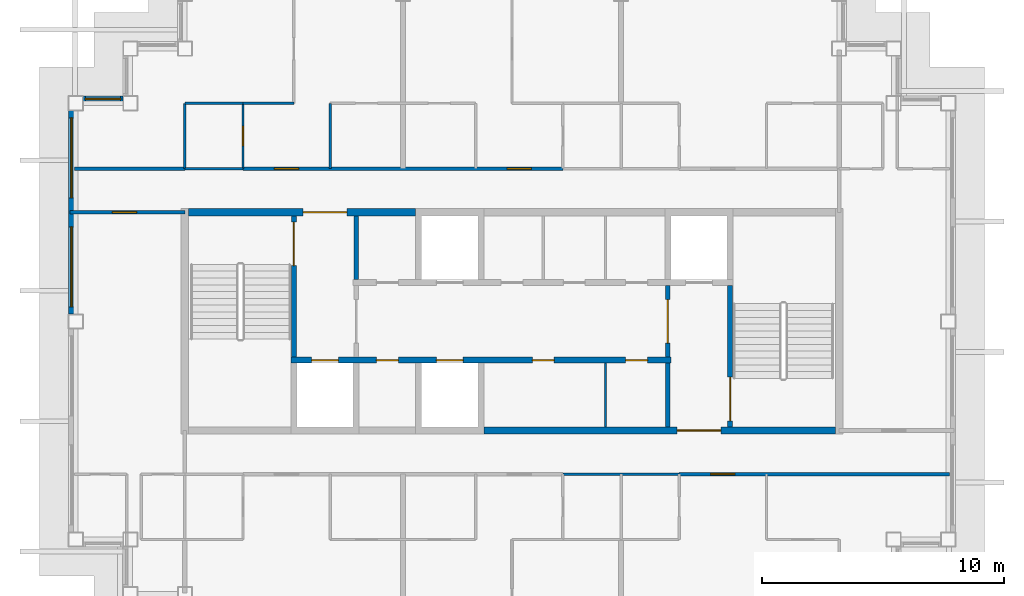
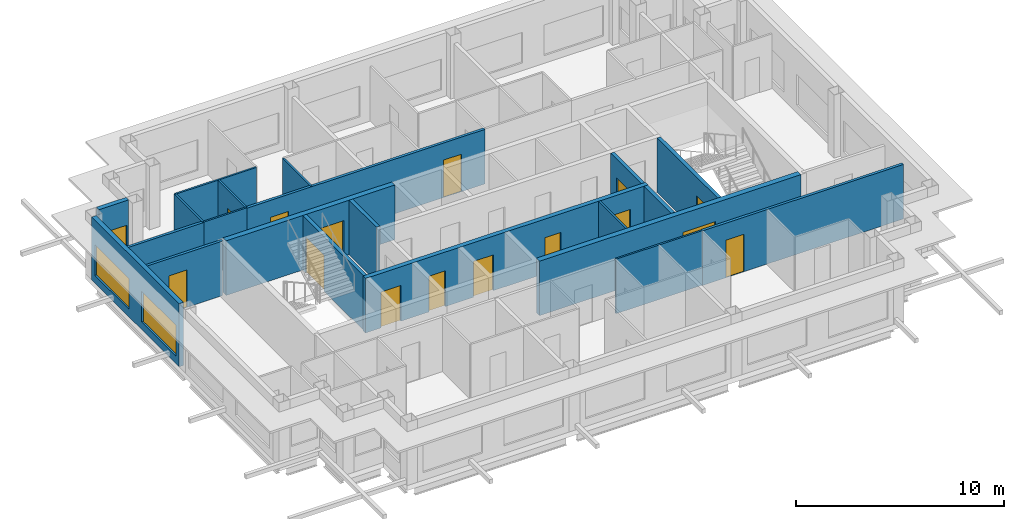
# One storey, part 3 of 11: 22 walls, 15 doors, 3 windows, 18 openings.
"""IFC4 building model written with IfcOpenShell, lengths in metres."""

import ifcopenshell
import ifcopenshell.guid

model = None  # the IFC model being written
_history = None  # IfcOwnerHistory: only IFC2X3 demands one
_inside = {}  # id of a spatial element -> (the spatial element, [elements in it])
_under = {}  # id of a project, library or spatial element -> (it, [spatial elements below it])
_declared = {}  # id of a project -> (the project, [libraries it declares])
_typed = {}  # id of a type object -> (the type object, [elements of that type])
_made_of = {}  # id of a material, layer set ... -> (it, [elements and type objects made of it])


def new_model(schema):
    """Start an empty IFC model of exactly this schema.

    Asked for "IFC4X3", IfcOpenShell would pick the latest addendum, in which some entities
    have other attributes; the version numbers below select the first issue.
    IFC2X3 requires an IfcOwnerHistory on every rooted entity: one is made here for all.
    """
    global model, _history
    if schema == "IFC4X3":
        model = ifcopenshell.file(schema_version=(4, 3, 0, 0))
    else:
        model = ifcopenshell.file(schema=schema)
    _inside.clear()
    _under.clear()
    _declared.clear()
    _typed.clear()
    _made_of.clear()
    _history = None
    if model.schema == "IFC2X3":
        org = make("IfcOrganization", Name="unknown")
        user = make(
            "IfcPersonAndOrganization",
            ThePerson=make("IfcPerson", FamilyName="unknown"),
            TheOrganization=org,
        )
        app = make(
            "IfcApplication",
            ApplicationDeveloper=org,
            Version="unknown",
            ApplicationFullName="unknown",
            ApplicationIdentifier="unknown",
        )
        _history = make(
            "IfcOwnerHistory",
            OwningUser=user,
            OwningApplication=app,
            ChangeAction="ADDED",
            CreationDate=0,
        )
    return model


def make(cls, **values):
    """One entity of the class cls with the attributes given. An attribute that is None is left unset."""
    return model.create_entity(
        cls, **{name: value for name, value in values.items() if value is not None}
    )


def rooted(cls, **values):
    """An entity with a GlobalId (a new one), such as an element, a storey or a relation."""
    return make(cls, GlobalId=ifcopenshell.guid.new(), OwnerHistory=_history, **values)


def si_unit(unit_type, name, prefix=None):
    """IfcSIUnit, for example si_unit("LENGTHUNIT", "METRE", prefix="MILLI")."""
    return make("IfcSIUnit", UnitType=unit_type, Prefix=prefix, Name=name)


def assignment(units):
    """IfcUnitAssignment: the units of a project."""
    return None if units is None else make("IfcUnitAssignment", Units=units)


def point(xyz):
    """IfcCartesianPoint."""
    return None if xyz is None else make("IfcCartesianPoint", Coordinates=xyz)


def direction(xyz):
    """IfcDirection."""
    return None if xyz is None else make("IfcDirection", DirectionRatios=xyz)


def frame(location, z_axis=None, x_axis=None):
    """IfcAxis2Placement3D, a coordinate frame: its origin and axes. An axis left out is left unset."""
    return make(
        "IfcAxis2Placement3D",
        Location=point(location),
        Axis=direction(z_axis),
        RefDirection=direction(x_axis),
    )


def frame_2d(location, x_axis=None):
    """IfcAxis2Placement2D, a coordinate frame in the plane: its origin and x axis."""
    return make(
        "IfcAxis2Placement2D", Location=point(location), RefDirection=direction(x_axis)
    )


def origin():
    """The frame at (0, 0, 0) with its axes left unset."""
    return frame((0.0, 0.0, 0.0))


def place(relative_to, where):
    """IfcLocalPlacement: puts the frame where relative to a parent placement (None: the world)."""
    return make(
        "IfcLocalPlacement", PlacementRelTo=relative_to, RelativePlacement=where
    )


def context(
    kind, dimensions, precision=None, world=None, true_north=None, identifier=None
):
    """IfcGeometricRepresentationContext, for example the 3D "Model" context."""
    return make(
        "IfcGeometricRepresentationContext",
        ContextIdentifier=identifier,
        ContextType=kind,
        CoordinateSpaceDimension=dimensions,
        Precision=precision,
        WorldCoordinateSystem=world,
        TrueNorth=true_north,
    )


def subcontext(parent, identifier, kind, view, scale=None):
    """IfcGeometricRepresentationSubContext, for example "Body" below "Model"."""
    return make(
        "IfcGeometricRepresentationSubContext",
        ContextIdentifier=identifier,
        ContextType=kind,
        ParentContext=parent,
        TargetScale=scale,
        TargetView=view,
    )


def project(units=None, contexts=None):
    """IfcProject with its units and contexts."""
    return rooted(
        "IfcProject",
        Name="project",
        RepresentationContexts=contexts,
        UnitsInContext=assignment(units),
    )


def spatial(cls, under=None, at=None, **own):
    """A site, building, storey or space (cls), placed at a placement, below another one or the project."""
    s = rooted(cls, ObjectPlacement=at, **own)
    if under is not None:
        _under.setdefault(under.id(), (under, []))[1].append(s)
    return s


def profile(cls, at=None, kind="AREA", **sizes):
    """A parametric profile (cls). Its sizes go by their IFC names, for example OverallWidth=200.0."""
    return make(cls, ProfileType=kind, Position=at, **sizes)


def rectangle(**sizes):
    """IfcRectangleProfileDef."""
    return profile("IfcRectangleProfileDef", **sizes)


def extrude(swept, where, along, depth):
    """IfcExtrudedAreaSolid: the profile swept, set in the frame where, extruded along a direction by depth."""
    return make(
        "IfcExtrudedAreaSolid",
        SweptArea=swept,
        Position=where,
        ExtrudedDirection=direction(along),
        Depth=depth,
    )


def shape(context_of_items, identifier, shape_type, items):
    """IfcShapeRepresentation: the items that make up one representation, for example the "Body"."""
    return make(
        "IfcShapeRepresentation",
        ContextOfItems=context_of_items,
        RepresentationIdentifier=identifier,
        RepresentationType=shape_type,
        Items=items,
    )


def material(Name=None, Category=None):
    """IfcMaterial."""
    return make("IfcMaterial", Name=Name, Category=Category)


def layer(
    of_material, thickness, ventilated=None, Name=None, Category=None, Priority=None
):
    """IfcMaterialLayer: one layer of a wall or slab, of a material (None: an air gap)."""
    return make(
        "IfcMaterialLayer",
        Material=of_material,
        LayerThickness=thickness,
        IsVentilated=ventilated,
        Name=Name,
        Category=Category,
        Priority=Priority,
    )


def layer_set(layers, Name=None):
    """IfcMaterialLayerSet."""
    return make("IfcMaterialLayerSet", MaterialLayers=layers, LayerSetName=Name)


def made_of(thing, what):
    """Note that an element or type object is made of a material, layer set ...; save() writes the relation."""
    if what is not None:
        _made_of.setdefault(what.id(), (what, []))[1].append(thing)
    return thing


def type_object(cls, material=None, **own):
    """A type object (cls), such as IfcWallType, which elements share."""
    return made_of(rooted(cls, **own), material)


def element(
    cls,
    number,
    at=None,
    inside=None,
    cuts=None,
    type_object=None,
    material=None,
    context=None,
    identifier="Body",
    shape_type=None,
    held_by="IfcProductDefinitionShape",
    body=None,
    shapes=None,
    **own,
):
    """One element of the class cls, such as IfcWall. Its Tag is "e" and its number.

    at: its placement. inside: the storey or other place that contains it. cuts: it is an
    opening in that element (IfcRelVoidsElement). A single representation is given by context,
    identifier, shape_type and body (its items); several are given by shapes. held_by: the class
    of the entity that holds the representations. save() writes the other relations.
    """
    e = rooted(cls, Tag="e%d" % number, ObjectPlacement=at, **own)
    if body is not None:
        shapes = [shape(context, identifier, shape_type, body)]
    if shapes is not None:
        e.Representation = make(held_by, Representations=shapes)
    if inside is not None:
        _inside.setdefault(inside.id(), (inside, []))[1].append(e)
    if cuts is not None:
        rooted(
            "IfcRelVoidsElement", RelatingBuildingElement=cuts, RelatedOpeningElement=e
        )
    if type_object is not None:
        _typed.setdefault(type_object.id(), (type_object, []))[1].append(e)
    return made_of(e, material)


def fill(opening, filler):
    """IfcRelFillsElement: the door or window that sits in an opening."""
    return rooted(
        "IfcRelFillsElement",
        RelatingOpeningElement=opening,
        RelatedBuildingElement=filler,
    )


def aggregate(whole, parts):
    """IfcRelAggregates: a whole, such as a stair, and the parts it consists of."""
    return rooted("IfcRelAggregates", RelatingObject=whole, RelatedObjects=parts)


def save(model, path):
    """Write the relations noted so far, then the file.

    IfcRelAggregates (storeys below a building ...), IfcRelContainedInSpatialStructure (elements
    in a storey), IfcRelDefinesByType, IfcRelAssociatesMaterial and IfcRelDeclares: one each for
    every whole, place, type object, material and project.
    """
    for whole, parts in _under.values():
        aggregate(whole, parts)
    for where, things in _inside.values():
        rooted(
            "IfcRelContainedInSpatialStructure",
            RelatedElements=things,
            RelatingStructure=where,
        )
    for kind, things in _typed.values():
        rooted("IfcRelDefinesByType", RelatedObjects=things, RelatingType=kind)
    for what, things in _made_of.values():
        rooted("IfcRelAssociatesMaterial", RelatedObjects=things, RelatingMaterial=what)
    for by, libraries in _declared.values():
        rooted("IfcRelDeclares", RelatingContext=by, RelatedDefinitions=libraries)
    model.write(path)


model = new_model("IFC4")

# Units and contexts
model_context = context("Model", 3, precision=1e-05, world=origin(), true_north=direction((0.0, 1.0)))
body_context = subcontext(model_context, "Body", "Model", "MODEL_VIEW")
ifc_project = project(units=[si_unit("LENGTHUNIT", "METRE"), si_unit("AREAUNIT", "SQUARE_METRE"), si_unit("VOLUMEUNIT", "CUBIC_METRE"), si_unit("PLANEANGLEUNIT", "RADIAN"), si_unit("MASSUNIT", "GRAM", prefix="KILO")], contexts=[model_context])

# Site, building, storey
site_placement = place(None, origin())
site = spatial("IfcSite", under=ifc_project, at=site_placement, CompositionType="ELEMENT")
building_placement = place(site_placement, origin())
building = spatial("IfcBuilding", under=site, at=building_placement, Name="Caravel Reach Hotel and Residences", CompositionType="ELEMENT")
storey_placement = place(building_placement, frame((0.0, 0.0, 301.89990234375)))
storey = spatial("IfcBuildingStorey", under=building, at=storey_placement, Name="L77", CompositionType="ELEMENT", Elevation=301.89990234375)

# Walls
ifc_material_1 = material(Name="Gypsum board on steel stud", Category="steel")
ifc_layer_1 = layer(ifc_material_1, 0.10009765625)
ifc_layer_set_1 = layer_set([ifc_layer_1], Name="Bathroom pod wall 100 mm")
wall_type_1 = type_object("IfcWallType", Name="Bathroom pod wall 100 mm", PredefinedType="PARTITIONING", material=ifc_layer_set_1)
wall_1_placement = place(storey_placement, frame((33.60009765625, 20.699951171875, 0.0), z_axis=(0.0, 0.0, 1.0), x_axis=(1.0, 0.0, 0.0)))
element("IfcWall", 1, at=wall_1_placement, inside=storey, type_object=wall_type_1, Name="L77 wall w057", PredefinedType="PARTITIONING", context=body_context, shape_type="SweptSolid", body=[
    extrude(rectangle(XDim=4.7998046875, YDim=0.10009765625, at=frame_2d((2.39990234375, 0.0))), origin(), (0.0, 0.0, 1.0), 3.2001953125),
])
for number, where, z_axis, x_axis, name in (
    (2, (18.0, 33.300048828125, 0.0), (0.0, 0.0, 1.0), (1.0, 0.0, 0.0), "L77 wall w060"),
    (3, (18.0, 36.0, 0.0), (0.0, 0.0, 1.0), (1.0, 0.0, 0.0), "L77 wall w064"),
):
    element("IfcWall", number, at=place(storey_placement, frame(where, z_axis=z_axis, x_axis=x_axis)), inside=storey, type_object=wall_type_1, Name=name, PredefinedType="PARTITIONING", context=body_context, shape_type="SweptSolid", body=[
        extrude(rectangle(XDim=2.39990234375, YDim=0.10009765625, at=frame_2d((1.199951171875, 0.0))), origin(), (0.0, 0.0, 1.0), 3.2001953125),
    ])
wall_2_placement = place(storey_placement, frame((18.0, 33.301025390625, 0.0), z_axis=(0.0, 0.0, 1.0), x_axis=(0.0, 1.0, 0.0)))
element("IfcWall", 4, at=wall_2_placement, inside=storey, type_object=wall_type_1, Name="L77 wall w068", PredefinedType="PARTITIONING", context=body_context, shape_type="SweptSolid", body=[
    extrude(rectangle(XDim=2.698974609375, YDim=0.10009765625, at=frame_2d((1.349609375, 0.0))), origin(), (0.0, 0.0, 1.0), 3.2001953125),
])

# Wall, opening, door
wall_3_placement = place(storey_placement, frame((20.39990234375, 33.300048828125, 0.0), z_axis=(0.0, 0.0, 1.0), x_axis=(0.0, 1.0, 0.0)))
wall_3 = element("IfcWall", 5, at=wall_3_placement, inside=storey, type_object=wall_type_1, Name="L77 wall w070", PredefinedType="PARTITIONING", context=body_context, shape_type="SweptSolid", body=[
    extrude(rectangle(XDim=2.699951171875, YDim=0.10009765625, at=frame_2d((1.35009765625, 0.0))), origin(), (0.0, 0.0, 1.0), 3.2001953125),
])
opening_1_placement = place(wall_3_placement, frame((0.949951171875, 0.0, 0.0)))
opening_1 = element("IfcOpeningElement", 6, at=opening_1_placement, cuts=wall_3, Name="Opening D77-019", PredefinedType="OPENING", context=body_context, shape_type="SweptSolid", body=[
    extrude(rectangle(XDim=0.800048828125, YDim=2.10009765625, at=frame_2d((0.39990234375, 1.050048828125))), frame((0.0, 0.06005859375, 0.0), z_axis=(0.0, -1.0, 0.0), x_axis=(1.0, 0.0, 0.0)), (0.0, 0.0, 1.0), 0.1201171875),
])
ifc_material_2 = material(Name="Timber and steel door leaf", Category="steel")
door_type_1 = type_object("IfcDoorType", Name="Bathroom door 800 x 2100", OperationType="SINGLE_SWING_LEFT", PredefinedType="DOOR", material=ifc_material_2)
door_1_placement = place(opening_1_placement, origin())
door_1 = element("IfcDoor", 7, at=door_1_placement, inside=storey, type_object=door_type_1, Name="door D77-019", OperationType="SINGLE_SWING_LEFT", OverallHeight=2.10009765625, OverallWidth=0.800048828125, PredefinedType="DOOR", context=body_context, shape_type="SweptSolid", body=[
    extrude(rectangle(XDim=0.800048828125, YDim=2.10009765625, at=frame_2d((0.39990234375, 1.050048828125))), frame((0.0, 0.02490234375, 0.0), z_axis=(0.0, -1.0, 0.0), x_axis=(1.0, 0.0, 0.0)), (0.0, 0.0, 1.0), 0.050048828125),
])
fill(opening_1, door_1)

# Walls
ifc_material_3 = material(Name="Autoclaved aerated block wall")
ifc_layer_2 = layer(ifc_material_3, 0.199951171875)
ifc_layer_set_2 = layer_set([ifc_layer_2], Name="Compartment wall 200 mm EI 120")
wall_type_2 = type_object("IfcWallType", Name="Compartment wall 200 mm EI 120", PredefinedType="PARTITIONING", material=ifc_layer_set_2)
for number, where, z_axis, x_axis, name in (
    (8, (37.928466796875, 22.64990234375, 0.0), (0.0, 0.0, 1.0), (0.0, 1.0, 0.0), "L77 store partition"),
    (9, (25.071533203125, 28.72509765625, 0.0), (0.0, 0.0, 1.0), (0.0, 1.0, 0.0), "L77 store partition"),
):
    element("IfcWall", number, at=place(storey_placement, frame(where, z_axis=z_axis, x_axis=x_axis)), inside=storey, type_object=wall_type_2, Name=name, PredefinedType="PARTITIONING", context=body_context, shape_type="SweptSolid", body=[
        extrude(rectangle(XDim=2.625, YDim=0.199951171875, at=frame_2d((1.3125, 0.0))), origin(), (0.0, 0.0, 1.0), 3.2001953125),
    ])

# Wall, opening, door
ifc_material_4 = material(Name="Concrete C60", Category="concrete")
ifc_layer_3 = layer(ifc_material_4, 0.300048828125)
ifc_layer_set_3 = layer_set([ifc_layer_3], Name="Core wall 300 mm EI 120")
wall_type_3 = type_object("IfcWallType", Name="Core wall 300 mm EI 120", PredefinedType="SHEAR", material=ifc_layer_set_3)
wall_4_placement = place(storey_placement, frame((30.33935546875, 22.5, 0.0), z_axis=(0.0, 0.0, 1.0), x_axis=(1.0, 0.0, 0.0)))
wall_4 = element("IfcWall", 10, at=wall_4_placement, inside=storey, type_object=wall_type_3, Name="L77 core wall S3", PredefinedType="SHEAR", context=body_context, shape_type="SweptSolid", body=[
    extrude(rectangle(XDim=14.5107421875, YDim=0.300048828125, at=frame_2d((7.25537109375, 0.0))), origin(), (0.0, 0.0, 1.0), 3.2001953125),
])
opening_2_placement = place(wall_4_placement, frame((7.97509765625, 0.0, 0.0)))
opening_2 = element("IfcOpeningElement", 11, at=opening_2_placement, cuts=wall_4, Name="Opening D77-017", PredefinedType="OPENING", context=body_context, shape_type="SweptSolid", body=[
    extrude(rectangle(XDim=1.800048828125, YDim=2.10009765625, at=frame_2d((0.89990234375, 1.050048828125))), frame((0.0, 0.159912109375, 0.0), z_axis=(0.0, -1.0, 0.0), x_axis=(1.0, 0.0, 0.0)), (0.0, 0.0, 1.0), 0.320068359375),
])
ifc_material_5 = material(Name="Steel fire door leaf", Category="steel")
door_type_2 = type_object("IfcDoorType", Name="Fire lobby door pair 1800 x 2100 EI 90", OperationType="DOUBLE_DOOR_SINGLE_SWING", PredefinedType="DOOR", material=ifc_material_5)
door_2_placement = place(opening_2_placement, origin())
door_2 = element("IfcDoor", 12, at=door_2_placement, inside=storey, type_object=door_type_2, Name="lobby S door pair to corridor", OperationType="DOUBLE_DOOR_SINGLE_SWING", OverallHeight=2.10009765625, OverallWidth=1.800048828125, PredefinedType="DOOR", context=body_context, shape_type="SweptSolid", body=[
    extrude(rectangle(XDim=1.800048828125, YDim=2.10009765625, at=frame_2d((0.89990234375, 1.050048828125))), frame((0.0, 0.02490234375, 0.0), z_axis=(0.0, -1.0, 0.0), x_axis=(1.0, 0.0, 0.0)), (0.0, 0.0, 1.0), 0.050048828125),
])
fill(opening_2, door_2)

wall_5_placement = place(storey_placement, frame((18.14990234375, 31.5, 0.0), z_axis=(0.0, 0.0, 1.0), x_axis=(1.0, 0.0, 0.0)))
wall_5 = element("IfcWall", 13, at=wall_5_placement, inside=storey, type_object=wall_type_3, Name="L77 core wall N1", PredefinedType="SHEAR", context=body_context, shape_type="SweptSolid", body=[
    extrude(rectangle(XDim=9.367919921875, YDim=0.300048828125, at=frame_2d((4.68408203125, 0.0))), origin(), (0.0, 0.0, 1.0), 3.2001953125),
])
opening_3_placement = place(wall_5_placement, frame((4.735595703125, 0.0, 0.0)))
opening_3 = element("IfcOpeningElement", 14, at=opening_3_placement, cuts=wall_5, Name="Opening D77-016", PredefinedType="OPENING", context=body_context, shape_type="SweptSolid", body=[
    extrude(rectangle(XDim=1.800048828125, YDim=2.10009765625, at=frame_2d((0.89990234375, 1.050048828125))), frame((0.0, 0.159912109375, 0.0), z_axis=(0.0, -1.0, 0.0), x_axis=(1.0, 0.0, 0.0)), (0.0, 0.0, 1.0), 0.320068359375),
])
door_3_placement = place(opening_3_placement, origin())
door_3 = element("IfcDoor", 15, at=door_3_placement, inside=storey, type_object=door_type_2, Name="lobby N door pair to corridor", OperationType="DOUBLE_DOOR_SINGLE_SWING", OverallHeight=2.10009765625, OverallWidth=1.800048828125, PredefinedType="DOOR", context=body_context, shape_type="SweptSolid", body=[
    extrude(rectangle(XDim=1.800048828125, YDim=2.10009765625, at=frame_2d((0.89990234375, 1.050048828125))), frame((0.0, 0.02490234375, 0.0), z_axis=(0.0, -1.0, 0.0), x_axis=(1.0, 0.0, 0.0)), (0.0, 0.0, 1.0), 0.050048828125),
])
fill(opening_3, door_3)

ifc_material_6 = material(Name="Gypsum board on steel stud, fire-rated", Category="steel")
ifc_layer_4 = layer(ifc_material_6, 0.14990234375)
ifc_layer_set_4 = layer_set([ifc_layer_4], Name="Corridor wall 150 mm EI 60")
wall_type_4 = type_object("IfcWallType", Name="Corridor wall 150 mm EI 60", PredefinedType="PARTITIONING", material=ifc_layer_set_4)
wall_6_placement = place(storey_placement, frame((38.39990234375, 20.699951171875, 0.0), z_axis=(0.0, 0.0, 1.0), x_axis=(1.0, 0.0, 0.0)))
wall_6 = element("IfcWall", 16, at=wall_6_placement, inside=storey, type_object=wall_type_4, Name="L77 wall w005", PredefinedType="PARTITIONING", context=body_context, shape_type="SweptSolid", body=[
    extrude(rectangle(XDim=11.150146484375, YDim=0.14990234375, at=frame_2d((5.5751953125, 0.0))), origin(), (0.0, 0.0, 1.0), 3.2001953125),
])
opening_4_placement = place(wall_6_placement, frame((1.300048828125, 0.0, 0.0)))
opening_4 = element("IfcOpeningElement", 17, at=opening_4_placement, cuts=wall_6, Name="Opening D77-036", PredefinedType="OPENING", context=body_context, shape_type="SweptSolid", body=[
    extrude(rectangle(XDim=1.0, YDim=2.199951171875, at=frame_2d((0.5, 1.10009765625))), frame((0.0, 0.0849609375, 0.0), z_axis=(0.0, -1.0, 0.0), x_axis=(1.0, 0.0, 0.0)), (0.0, 0.0, 1.0), 0.169921875),
])
ifc_material_7 = material(Name="Steel fire door leaf", Category="steel")
door_type_3 = type_object("IfcDoorType", Name="Flat entrance door 1000 x 2200 EI 60", OperationType="SINGLE_SWING_LEFT", PredefinedType="DOOR", material=ifc_material_7)
door_4_placement = place(opening_4_placement, origin())
door_4 = element("IfcDoor", 18, at=door_4_placement, inside=storey, type_object=door_type_3, Name="door D77-036", OperationType="SINGLE_SWING_RIGHT", OverallHeight=2.199951171875, OverallWidth=1.0, PredefinedType="DOOR", context=body_context, shape_type="SweptSolid", body=[
    extrude(rectangle(XDim=1.0, YDim=2.199951171875, at=frame_2d((0.5, 1.10009765625))), frame((0.0, 0.02490234375, 0.0), z_axis=(0.0, -1.0, 0.0), x_axis=(1.0, 0.0, 0.0)), (0.0, 0.0, 1.0), 0.050048828125),
])
fill(opening_4, door_4)

wall_7_placement = place(storey_placement, frame((13.260009765625, 31.5, 0.0), z_axis=(0.0, 0.0, 1.0), x_axis=(1.0, 0.0, 0.0)))
wall_7 = element("IfcWall", 19, at=wall_7_placement, inside=storey, type_object=wall_type_4, Name="L77 wall w009", PredefinedType="PARTITIONING", context=body_context, shape_type="SweptSolid", body=[
    extrude(rectangle(XDim=4.739990234375, YDim=0.14990234375, at=frame_2d((2.3701171875, 0.0))), origin(), (0.0, 0.0, 1.0), 3.2001953125),
])
opening_5_placement = place(wall_7_placement, frame((1.75, 0.0, 0.0)))
opening_5 = element("IfcOpeningElement", 20, at=opening_5_placement, cuts=wall_7, Name="Opening D77-039", PredefinedType="OPENING", context=body_context, shape_type="SweptSolid", body=[
    extrude(rectangle(XDim=1.0, YDim=2.199951171875, at=frame_2d((0.5, 1.10009765625))), frame((0.0, 0.0849609375, 0.0), z_axis=(0.0, -1.0, 0.0), x_axis=(1.0, 0.0, 0.0)), (0.0, 0.0, 1.0), 0.169921875),
])
door_5_placement = place(opening_5_placement, origin())
door_5 = element("IfcDoor", 21, at=door_5_placement, inside=storey, type_object=door_type_3, Name="door D77-039", OperationType="SINGLE_SWING_RIGHT", OverallHeight=2.199951171875, OverallWidth=1.0, PredefinedType="DOOR", context=body_context, shape_type="SweptSolid", body=[
    extrude(rectangle(XDim=1.0, YDim=2.199951171875, at=frame_2d((0.5, 1.10009765625))), frame((0.0, 0.02490234375, 0.0), z_axis=(0.0, -1.0, 0.0), x_axis=(1.0, 0.0, 0.0)), (0.0, 0.0, 1.0), 0.050048828125),
])
fill(opening_5, door_5)

# Wall
wall_8_placement = place(storey_placement, frame((13.449951171875, 33.300048828125, 0.0), z_axis=(0.0, 0.0, 1.0), x_axis=(1.0, 0.0, 0.0)))
element("IfcWall", 22, at=wall_8_placement, inside=storey, type_object=wall_type_4, Name="L77 wall w010", PredefinedType="PARTITIONING", context=body_context, shape_type="SweptSolid", body=[
    extrude(rectangle(XDim=4.549072265625, YDim=0.14990234375, at=frame_2d((2.2744140625, 0.0))), origin(), (0.0, 0.0, 1.0), 3.2001953125),
])

# Wall, openings, doors
wall_9_placement = place(storey_placement, frame((20.39990234375, 33.300048828125, 0.0), z_axis=(0.0, 0.0, 1.0), x_axis=(1.0, 0.0, 0.0)))
wall_9 = element("IfcWall", 23, at=wall_9_placement, inside=storey, type_object=wall_type_4, Name="L77 wall w011", PredefinedType="PARTITIONING", context=body_context, shape_type="SweptSolid", body=[
    extrude(rectangle(XDim=13.2001953125, YDim=0.14990234375, at=frame_2d((6.60009765625, 0.0))), origin(), (0.0, 0.0, 1.0), 3.2001953125),
])
opening_6_placement = place(wall_9_placement, frame((1.300048828125, 0.0, 0.0)))
opening_6 = element("IfcOpeningElement", 24, at=opening_6_placement, cuts=wall_9, Name="Opening D77-018", PredefinedType="OPENING", context=body_context, shape_type="SweptSolid", body=[
    extrude(rectangle(XDim=1.0, YDim=2.199951171875, at=frame_2d((0.5, 1.10009765625))), frame((0.0, 0.0849609375, 0.0), z_axis=(0.0, -1.0, 0.0), x_axis=(1.0, 0.0, 0.0)), (0.0, 0.0, 1.0), 0.169921875),
])
opening_7_placement = place(wall_9_placement, frame((10.900146484375, 0.0, 0.0)))
opening_7 = element("IfcOpeningElement", 25, at=opening_7_placement, cuts=wall_9, Name="Opening D77-022", PredefinedType="OPENING", context=body_context, shape_type="SweptSolid", body=[
    extrude(rectangle(XDim=1.0, YDim=2.199951171875, at=frame_2d((0.5, 1.10009765625))), frame((0.0, 0.0849609375, 0.0), z_axis=(0.0, -1.0, 0.0), x_axis=(1.0, 0.0, 0.0)), (0.0, 0.0, 1.0), 0.169921875),
])
door_6_placement = place(opening_6_placement, origin())
door_6 = element("IfcDoor", 26, at=door_6_placement, inside=storey, type_object=door_type_3, Name="door D77-018", OperationType="SINGLE_SWING_RIGHT", OverallHeight=2.199951171875, OverallWidth=1.0, PredefinedType="DOOR", context=body_context, shape_type="SweptSolid", body=[
    extrude(rectangle(XDim=1.0, YDim=2.199951171875, at=frame_2d((0.5, 1.10009765625))), frame((0.0, 0.02490234375, 0.0), z_axis=(0.0, -1.0, 0.0), x_axis=(1.0, 0.0, 0.0)), (0.0, 0.0, 1.0), 0.050048828125),
])
fill(opening_6, door_6)
door_7_placement = place(opening_7_placement, origin())
door_7 = element("IfcDoor", 27, at=door_7_placement, inside=storey, type_object=door_type_3, Name="door D77-022", OperationType="SINGLE_SWING_RIGHT", OverallHeight=2.199951171875, OverallWidth=1.0, PredefinedType="DOOR", context=body_context, shape_type="SweptSolid", body=[
    extrude(rectangle(XDim=1.0, YDim=2.199951171875, at=frame_2d((0.5, 1.10009765625))), frame((0.0, 0.02490234375, 0.0), z_axis=(0.0, -1.0, 0.0), x_axis=(1.0, 0.0, 0.0)), (0.0, 0.0, 1.0), 0.050048828125),
])
fill(opening_7, door_7)

# Wall, opening, window
ifc_material_8 = material(Name="Insulated rainscreen wall, aluminium cladding", Category="aluminium")
ifc_layer_5 = layer(ifc_material_8, 0.25)
ifc_layer_set_5 = layer_set([ifc_layer_5], Name="EW1 Tower rainscreen wall")
wall_type_5 = type_object("IfcWallType", Name="EW1 Tower rainscreen wall", PredefinedType="SOLIDWALL", material=ifc_layer_set_5)
wall_10_placement = place(storey_placement, frame((15.449951171875, 36.175048828125, 0.0), z_axis=(0.0, 0.0, 1.0), x_axis=(-1.0, 0.0, 0.0)))
wall_10 = element("IfcWall", 28, at=wall_10_placement, inside=storey, type_object=wall_type_5, Name="External wall L77 N14.1", PredefinedType="SOLIDWALL", context=body_context, shape_type="SweptSolid", body=[
    extrude(rectangle(XDim=1.64990234375, YDim=0.25, at=frame_2d((0.824951171875, 0.0))), origin(), (0.0, 0.0, 1.0), 3.7001953125),
])
opening_8_placement = place(wall_10_placement, frame((0.10009765625, 0.0, 0.89990234375)))
opening_8 = element("IfcOpeningElement", 29, at=opening_8_placement, cuts=wall_10, Name="Opening WN27", PredefinedType="OPENING", context=body_context, shape_type="SweptSolid", body=[
    extrude(rectangle(XDim=1.449951171875, YDim=1.35009765625, at=frame_2d((0.72509765625, 0.675048828125))), frame((0.0, 0.135009765625, 0.0), z_axis=(0.0, -1.0, 0.0), x_axis=(1.0, 0.0, 0.0)), (0.0, 0.0, 1.0), 0.27001953125),
])
ifc_material_9 = material(Name="Dark low-e glazing in black aluminium frame", Category="aluminium")
window_type_1 = type_object("IfcWindowType", Name="Residence bedroom window 1450 x 1350", PartitioningType="SINGLE_PANEL", PredefinedType="WINDOW", material=ifc_material_9)
window_1_placement = place(opening_8_placement, origin())
window_1 = element("IfcWindow", 30, at=window_1_placement, inside=storey, type_object=window_type_1, Name="Window L77 N14.1.1", OverallHeight=1.35009765625, OverallWidth=1.449951171875, PartitioningType="SINGLE_PANEL", PredefinedType="WINDOW", context=body_context, shape_type="SweptSolid", body=[
    extrude(rectangle(XDim=1.449951171875, YDim=1.35009765625, at=frame_2d((0.72509765625, 0.675048828125))), frame((0.0, 0.030029296875, 0.0), z_axis=(0.0, -1.0, 0.0), x_axis=(1.0, 0.0, 0.0)), (0.0, 0.0, 1.0), 0.06005859375),
])
fill(opening_8, window_1)

# Wall, openings, windows
wall_11_placement = place(storey_placement, frame((13.324951171875, 35.699951171875, 0.0), z_axis=(0.0, 0.0, 1.0), x_axis=(0.0, -1.0, 0.0)))
wall_11 = element("IfcWall", 31, at=wall_11_placement, inside=storey, type_object=wall_type_5, Name="External wall L77 W15.1", PredefinedType="SOLIDWALL", context=body_context, shape_type="SweptSolid", body=[
    extrude(rectangle(XDim=8.39990234375, YDim=0.25, at=frame_2d((4.199951171875, 0.0))), origin(), (0.0, 0.0, 1.0), 3.7001953125),
])
opening_9_placement = place(wall_11_placement, frame((0.300048828125, 0.0, 0.449951171875)))
opening_9 = element("IfcOpeningElement", 32, at=opening_9_placement, cuts=wall_11, Name="Opening WN28", PredefinedType="OPENING", context=body_context, shape_type="SweptSolid", body=[
    extrude(rectangle(XDim=3.300048828125, YDim=1.800048828125, at=frame_2d((1.64990234375, 0.89990234375))), frame((0.0, 0.135009765625, 0.0), z_axis=(0.0, -1.0, 0.0), x_axis=(1.0, 0.0, 0.0)), (0.0, 0.0, 1.0), 0.27001953125),
])
opening_10_placement = place(wall_11_placement, frame((4.800048828125, 0.0, 0.449951171875)))
opening_10 = element("IfcOpeningElement", 33, at=opening_10_placement, cuts=wall_11, Name="Opening WN28", PredefinedType="OPENING", context=body_context, shape_type="SweptSolid", body=[
    extrude(rectangle(XDim=3.300048828125, YDim=1.800048828125, at=frame_2d((1.64990234375, 0.89990234375))), frame((0.0, 0.135009765625, 0.0), z_axis=(0.0, -1.0, 0.0), x_axis=(1.0, 0.0, 0.0)), (0.0, 0.0, 1.0), 0.27001953125),
])
ifc_material_10 = material(Name="Dark low-e glazing in black aluminium frame", Category="aluminium")
window_type_2 = type_object("IfcWindowType", Name="Residence living window 3300 x 1800", PartitioningType="SINGLE_PANEL", PredefinedType="WINDOW", material=ifc_material_10)
window_2_placement = place(opening_9_placement, origin())
window_2 = element("IfcWindow", 34, at=window_2_placement, inside=storey, type_object=window_type_2, Name="Window L77 W15.1.1", OverallHeight=1.800048828125, OverallWidth=3.300048828125, PartitioningType="SINGLE_PANEL", PredefinedType="WINDOW", context=body_context, shape_type="SweptSolid", body=[
    extrude(rectangle(XDim=3.300048828125, YDim=1.800048828125, at=frame_2d((1.64990234375, 0.89990234375))), frame((0.0, 0.030029296875, 0.0), z_axis=(0.0, -1.0, 0.0), x_axis=(1.0, 0.0, 0.0)), (0.0, 0.0, 1.0), 0.06005859375),
])
fill(opening_9, window_2)
window_3_placement = place(opening_10_placement, origin())
window_3 = element("IfcWindow", 35, at=window_3_placement, inside=storey, type_object=window_type_2, Name="Window L77 W15.1.2", OverallHeight=1.800048828125, OverallWidth=3.300048828125, PartitioningType="SINGLE_PANEL", PredefinedType="WINDOW", context=body_context, shape_type="SweptSolid", body=[
    extrude(rectangle(XDim=3.300048828125, YDim=1.800048828125, at=frame_2d((1.64990234375, 0.89990234375))), frame((0.0, 0.030029296875, 0.0), z_axis=(0.0, -1.0, 0.0), x_axis=(1.0, 0.0, 0.0)), (0.0, 0.0, 1.0), 0.06005859375),
])
fill(opening_10, window_3)

# Wall, opening, door
ifc_material_11 = material(Name="Autoclaved aerated block wall")
ifc_layer_6 = layer(ifc_material_11, 0.199951171875)
ifc_layer_set_6 = layer_set([ifc_layer_6], Name="Fire lobby wall 200 mm EI 120")
wall_type_6 = type_object("IfcWallType", Name="Fire lobby wall 200 mm EI 120", PredefinedType="PARTITIONING", material=ifc_layer_set_6)
wall_12_placement = place(storey_placement, frame((37.928466796875, 25.52490234375, 0.0), z_axis=(0.0, 0.0, 1.0), x_axis=(0.0, 1.0, 0.0)))
wall_12 = element("IfcWall", 36, at=wall_12_placement, inside=storey, type_object=wall_type_6, Name="L77 lobby E wall", PredefinedType="PARTITIONING", context=body_context, shape_type="SweptSolid", body=[
    extrude(rectangle(XDim=2.9501953125, YDim=0.199951171875, at=frame_2d((1.47509765625, 0.0))), origin(), (0.0, 0.0, 1.0), 3.2001953125),
])
opening_11_placement = place(wall_12_placement, frame((0.574951171875, 0.0, 0.0)))
opening_11 = element("IfcOpeningElement", 37, at=opening_11_placement, cuts=wall_12, Name="Opening D77-015", PredefinedType="OPENING", context=body_context, shape_type="SweptSolid", body=[
    extrude(rectangle(XDim=1.800048828125, YDim=2.10009765625, at=frame_2d((0.89990234375, 1.050048828125))), frame((0.0, 0.10986328125, 0.0), z_axis=(0.0, -1.0, 0.0), x_axis=(1.0, 0.0, 0.0)), (0.0, 0.0, 1.0), 0.219970703125),
])
door_8_placement = place(opening_11_placement, origin())
door_8 = element("IfcDoor", 38, at=door_8_placement, inside=storey, type_object=door_type_2, Name="lobby E door pair", OperationType="DOUBLE_DOOR_SINGLE_SWING", OverallHeight=2.10009765625, OverallWidth=1.800048828125, PredefinedType="DOOR", context=body_context, shape_type="SweptSolid", body=[
    extrude(rectangle(XDim=1.800048828125, YDim=2.10009765625, at=frame_2d((0.89990234375, 1.050048828125))), frame((0.0, 0.02490234375, 0.0), z_axis=(0.0, -1.0, 0.0), x_axis=(1.0, 0.0, 0.0)), (0.0, 0.0, 1.0), 0.050048828125),
])
fill(opening_11, door_8)

# Walls
ifc_material_12 = material(Name="Gypsum board on steel stud", Category="steel")
ifc_layer_7 = layer(ifc_material_12, 0.10009765625)
ifc_layer_set_7 = layer_set([ifc_layer_7], Name="Partition 100 mm")
wall_type_7 = type_object("IfcWallType", Name="Partition 100 mm", PredefinedType="PARTITIONING", material=ifc_layer_set_7)
wall_13_placement = place(storey_placement, frame((35.357177734375, 22.64990234375, 0.0), z_axis=(0.0, 0.0, 1.0), x_axis=(0.0, 1.0, 0.0)))
element("IfcWall", 39, at=wall_13_placement, inside=storey, type_object=wall_type_7, Name="L77 store partition", PredefinedType="PARTITIONING", context=body_context, shape_type="SweptSolid", body=[
    extrude(rectangle(XDim=2.625, YDim=0.10009765625, at=frame_2d((1.3125, 0.0))), origin(), (0.0, 0.0, 1.0), 3.2001953125),
])
wall_14_placement = place(storey_placement, frame((20.39990234375, 36.0, 0.0), z_axis=(0.0, 0.0, 1.0), x_axis=(1.0, 0.0, 0.0)))
element("IfcWall", 40, at=wall_14_placement, inside=storey, type_object=wall_type_7, Name="L77 wall w026", PredefinedType="PARTITIONING", context=body_context, shape_type="SweptSolid", body=[
    extrude(rectangle(XDim=2.10009765625, YDim=0.10009765625, at=frame_2d((1.050048828125, 0.0))), origin(), (0.0, 0.0, 1.0), 3.2001953125),
])
wall_15_placement = place(storey_placement, frame((24.0, 33.300048828125, 0.0), z_axis=(0.0, 0.0, 1.0), x_axis=(0.0, 1.0, 0.0)))
element("IfcWall", 41, at=wall_15_placement, inside=storey, type_object=wall_type_7, Name="L77 wall w034", PredefinedType="PARTITIONING", context=body_context, shape_type="SweptSolid", body=[
    extrude(rectangle(XDim=2.699951171875, YDim=0.10009765625, at=frame_2d((1.35009765625, 0.0))), origin(), (0.0, 0.0, 1.0), 3.2001953125),
])

# Wall, openings, doors
ifc_material_13 = material(Name="Concrete C60", Category="concrete")
ifc_layer_8 = layer(ifc_material_13, 0.25)
ifc_layer_set_8 = layer_set([ifc_layer_8], Name="Shaft wall 250 mm EI 120")
wall_type_8 = type_object("IfcWallType", Name="Shaft wall 250 mm EI 120", PredefinedType="SHEAR", material=ifc_layer_set_8)
wall_16_placement = place(storey_placement, frame((22.375, 25.39990234375, 0.0), z_axis=(0.0, 0.0, 1.0), x_axis=(1.0, 0.0, 0.0)))
wall_16 = element("IfcWall", 42, at=wall_16_placement, inside=storey, type_object=wall_type_8, Name="L77 lobby wall S1", PredefinedType="SHEAR", context=body_context, shape_type="SweptSolid", body=[
    extrude(rectangle(XDim=15.678466796875, YDim=0.25, at=frame_2d((7.83935546875, 0.0))), origin(), (0.0, 0.0, 1.0), 3.2001953125),
])
opening_12_placement = place(wall_16_placement, frame((6.003662109375, 0.0, 0.0)))
opening_12 = element("IfcOpeningElement", 43, at=opening_12_placement, cuts=wall_16, Name="Opening D77-001", PredefinedType="OPENING", context=body_context, shape_type="SweptSolid", body=[
    extrude(rectangle(XDim=1.10009765625, YDim=2.10009765625, at=frame_2d((0.550048828125, 1.050048828125))), frame((0.0, 0.135009765625, 0.0), z_axis=(0.0, -1.0, 0.0), x_axis=(1.0, 0.0, 0.0)), (0.0, 0.0, 1.0), 0.27001953125),
])
opening_13_placement = place(wall_16_placement, frame((0.860595703125, 0.0, 0.0)))
opening_13 = element("IfcOpeningElement", 44, at=opening_13_placement, cuts=wall_16, Name="Opening D77-003", PredefinedType="OPENING", context=body_context, shape_type="SweptSolid", body=[
    extrude(rectangle(XDim=1.10009765625, YDim=2.10009765625, at=frame_2d((0.550048828125, 1.050048828125))), frame((0.0, 0.135009765625, 0.0), z_axis=(0.0, -1.0, 0.0), x_axis=(1.0, 0.0, 0.0)), (0.0, 0.0, 1.0), 0.27001953125),
])
opening_14_placement = place(wall_16_placement, frame((3.531982421875, 0.0, 0.0)))
opening_14 = element("IfcOpeningElement", 45, at=opening_14_placement, cuts=wall_16, Name="Opening D77-005", PredefinedType="OPENING", context=body_context, shape_type="SweptSolid", body=[
    extrude(rectangle(XDim=0.89990234375, YDim=2.10009765625, at=frame_2d((0.449951171875, 1.050048828125))), frame((0.0, 0.135009765625, 0.0), z_axis=(0.0, -1.0, 0.0), x_axis=(1.0, 0.0, 0.0)), (0.0, 0.0, 1.0), 0.27001953125),
])
opening_15_placement = place(wall_16_placement, frame((9.960693359375, 0.0, 0.0)))
opening_15 = element("IfcOpeningElement", 46, at=opening_15_placement, cuts=wall_16, Name="Opening D77-006", PredefinedType="OPENING", context=body_context, shape_type="SweptSolid", body=[
    extrude(rectangle(XDim=0.89990234375, YDim=2.10009765625, at=frame_2d((0.449951171875, 1.050048828125))), frame((0.0, 0.135009765625, 0.0), z_axis=(0.0, -1.0, 0.0), x_axis=(1.0, 0.0, 0.0)), (0.0, 0.0, 1.0), 0.27001953125),
])
opening_16_placement = place(wall_16_placement, frame((13.81787109375, 0.0, 0.0)))
opening_16 = element("IfcOpeningElement", 47, at=opening_16_placement, cuts=wall_16, Name="Opening D77-007", PredefinedType="OPENING", context=body_context, shape_type="SweptSolid", body=[
    extrude(rectangle(XDim=0.89990234375, YDim=2.10009765625, at=frame_2d((0.449951171875, 1.050048828125))), frame((0.0, 0.135009765625, 0.0), z_axis=(0.0, -1.0, 0.0), x_axis=(1.0, 0.0, 0.0)), (0.0, 0.0, 1.0), 0.27001953125),
])
ifc_material_14 = material(Name="Stainless steel landing door", Category="steel")
door_type_4 = type_object("IfcDoorType", Name="Landing door LD 1100 x 2100 sliding", OperationType="DOUBLE_DOOR_SLIDING", PredefinedType="DOOR", material=ifc_material_14)
door_9_placement = place(opening_12_placement, origin())
door_9 = element("IfcDoor", 48, at=door_9_placement, inside=storey, type_object=door_type_4, Name="HP1 landing door", OperationType="DOUBLE_DOOR_SLIDING", OverallHeight=2.10009765625, OverallWidth=1.10009765625, PredefinedType="DOOR", context=body_context, shape_type="SweptSolid", body=[
    extrude(rectangle(XDim=1.10009765625, YDim=2.10009765625, at=frame_2d((0.550048828125, 1.050048828125))), frame((0.0, 0.02490234375, 0.0), z_axis=(0.0, -1.0, 0.0), x_axis=(1.0, 0.0, 0.0)), (0.0, 0.0, 1.0), 0.050048828125),
])
fill(opening_12, door_9)
door_10_placement = place(opening_13_placement, origin())
door_10 = element("IfcDoor", 49, at=door_10_placement, inside=storey, type_object=door_type_4, Name="FL1 landing door", OperationType="DOUBLE_DOOR_SLIDING", OverallHeight=2.10009765625, OverallWidth=1.10009765625, PredefinedType="DOOR", context=body_context, shape_type="SweptSolid", body=[
    extrude(rectangle(XDim=1.10009765625, YDim=2.10009765625, at=frame_2d((0.550048828125, 1.050048828125))), frame((0.0, 0.02490234375, 0.0), z_axis=(0.0, -1.0, 0.0), x_axis=(1.0, 0.0, 0.0)), (0.0, 0.0, 1.0), 0.050048828125),
])
fill(opening_13, door_10)
ifc_material_15 = material(Name="Steel fire door leaf", Category="steel")
door_type_5 = type_object("IfcDoorType", Name="Riser door 900 x 2100 EI 60", OperationType="SINGLE_SWING_LEFT", PredefinedType="DOOR", material=ifc_material_15)
door_11_placement = place(opening_14_placement, origin())
door_11 = element("IfcDoor", 50, at=door_11_placement, inside=storey, type_object=door_type_5, Name="Electrical riser room door", OperationType="SINGLE_SWING_LEFT", OverallHeight=2.10009765625, OverallWidth=0.89990234375, PredefinedType="DOOR", context=body_context, shape_type="SweptSolid", body=[
    extrude(rectangle(XDim=0.89990234375, YDim=2.10009765625, at=frame_2d((0.449951171875, 1.050048828125))), frame((0.0, 0.02490234375, 0.0), z_axis=(0.0, -1.0, 0.0), x_axis=(1.0, 0.0, 0.0)), (0.0, 0.0, 1.0), 0.050048828125),
])
fill(opening_14, door_11)
door_12_placement = place(opening_15_placement, origin())
door_12 = element("IfcDoor", 51, at=door_12_placement, inside=storey, type_object=door_type_5, Name="Comms room door", OperationType="SINGLE_SWING_LEFT", OverallHeight=2.10009765625, OverallWidth=0.89990234375, PredefinedType="DOOR", context=body_context, shape_type="SweptSolid", body=[
    extrude(rectangle(XDim=0.89990234375, YDim=2.10009765625, at=frame_2d((0.449951171875, 1.050048828125))), frame((0.0, 0.02490234375, 0.0), z_axis=(0.0, -1.0, 0.0), x_axis=(1.0, 0.0, 0.0)), (0.0, 0.0, 1.0), 0.050048828125),
])
fill(opening_15, door_12)
door_13_placement = place(opening_16_placement, origin())
door_13 = element("IfcDoor", 52, at=door_13_placement, inside=storey, type_object=door_type_5, Name="Refuse store door", OperationType="SINGLE_SWING_LEFT", OverallHeight=2.10009765625, OverallWidth=0.89990234375, PredefinedType="DOOR", context=body_context, shape_type="SweptSolid", body=[
    extrude(rectangle(XDim=0.89990234375, YDim=2.10009765625, at=frame_2d((0.449951171875, 1.050048828125))), frame((0.0, 0.02490234375, 0.0), z_axis=(0.0, -1.0, 0.0), x_axis=(1.0, 0.0, 0.0)), (0.0, 0.0, 1.0), 0.050048828125),
])
fill(opening_16, door_13)

# Wall, opening, door
ifc_material_16 = material(Name="Concrete C60", Category="concrete")
ifc_layer_9 = layer(ifc_material_16, 0.199951171875)
ifc_layer_set_9 = layer_set([ifc_layer_9], Name="Stair enclosure wall 200 mm EI 120")
wall_type_9 = type_object("IfcWallType", Name="Stair enclosure wall 200 mm EI 120", PredefinedType="SHEAR", material=ifc_layer_set_9)
wall_17_placement = place(storey_placement, frame((22.5, 31.35009765625, 0.0), z_axis=(0.0, 0.0, 1.0), x_axis=(0.0, -1.0, 0.0)))
wall_17 = element("IfcWall", 53, at=wall_17_placement, inside=storey, type_object=wall_type_9, Name="L77 stair A wall", PredefinedType="SHEAR", context=body_context, shape_type="SweptSolid", body=[
    extrude(rectangle(XDim=5.8251953125, YDim=0.199951171875, at=frame_2d((2.91259765625, 0.0))), origin(), (0.0, 0.0, 1.0), 3.2001953125),
])
opening_17_placement = place(wall_17_placement, frame((0.25, 0.0, 0.0)))
opening_17 = element("IfcOpeningElement", 54, at=opening_17_placement, cuts=wall_17, Name="Opening D77-012", PredefinedType="OPENING", context=body_context, shape_type="SweptSolid", body=[
    extrude(rectangle(XDim=1.800048828125, YDim=2.10009765625, at=frame_2d((0.89990234375, 1.050048828125))), frame((0.0, 0.10986328125, 0.0), z_axis=(0.0, -1.0, 0.0), x_axis=(1.0, 0.0, 0.0)), (0.0, 0.0, 1.0), 0.219970703125),
])
ifc_material_17 = material(Name="Steel fire door leaf", Category="steel")
door_type_6 = type_object("IfcDoorType", Name="Stair door pair 1800 x 2100 EI 90", OperationType="DOUBLE_DOOR_SINGLE_SWING", PredefinedType="DOOR", material=ifc_material_17)
door_14_placement = place(opening_17_placement, origin())
door_14 = element("IfcDoor", 55, at=door_14_placement, inside=storey, type_object=door_type_6, Name="stair A door pair", OperationType="DOUBLE_DOOR_SINGLE_SWING", OverallHeight=2.10009765625, OverallWidth=1.800048828125, PredefinedType="DOOR", context=body_context, shape_type="SweptSolid", body=[
    extrude(rectangle(XDim=1.800048828125, YDim=2.10009765625, at=frame_2d((0.89990234375, 1.050048828125))), frame((0.0, 0.02490234375, 0.0), z_axis=(0.0, -1.0, 0.0), x_axis=(1.0, 0.0, 0.0)), (0.0, 0.0, 1.0), 0.050048828125),
])
fill(opening_17, door_14)

wall_18_placement = place(storey_placement, frame((40.5, 22.64990234375, 0.0), z_axis=(0.0, 0.0, 1.0), x_axis=(0.0, 1.0, 0.0)))
wall_18 = element("IfcWall", 56, at=wall_18_placement, inside=storey, type_object=wall_type_9, Name="L77 stair B wall", PredefinedType="SHEAR", context=body_context, shape_type="SweptSolid", body=[
    extrude(rectangle(XDim=5.8251953125, YDim=0.199951171875, at=frame_2d((2.91259765625, 0.0))), origin(), (0.0, 0.0, 1.0), 3.2001953125),
])
opening_18_placement = place(wall_18_placement, frame((0.25, 0.0, 0.0)))
opening_18 = element("IfcOpeningElement", 57, at=opening_18_placement, cuts=wall_18, Name="Opening D77-013", PredefinedType="OPENING", context=body_context, shape_type="SweptSolid", body=[
    extrude(rectangle(XDim=1.800048828125, YDim=2.10009765625, at=frame_2d((0.89990234375, 1.050048828125))), frame((0.0, 0.10986328125, 0.0), z_axis=(0.0, -1.0, 0.0), x_axis=(1.0, 0.0, 0.0)), (0.0, 0.0, 1.0), 0.219970703125),
])
door_15_placement = place(opening_18_placement, origin())
door_15 = element("IfcDoor", 58, at=door_15_placement, inside=storey, type_object=door_type_6, Name="stair B door pair", OperationType="DOUBLE_DOOR_SINGLE_SWING", OverallHeight=2.10009765625, OverallWidth=1.800048828125, PredefinedType="DOOR", context=body_context, shape_type="SweptSolid", body=[
    extrude(rectangle(XDim=1.800048828125, YDim=2.10009765625, at=frame_2d((0.89990234375, 1.050048828125))), frame((0.0, 0.02490234375, 0.0), z_axis=(0.0, -1.0, 0.0), x_axis=(1.0, 0.0, 0.0)), (0.0, 0.0, 1.0), 0.050048828125),
])
fill(opening_18, door_15)

save(model, "model.ifc")
